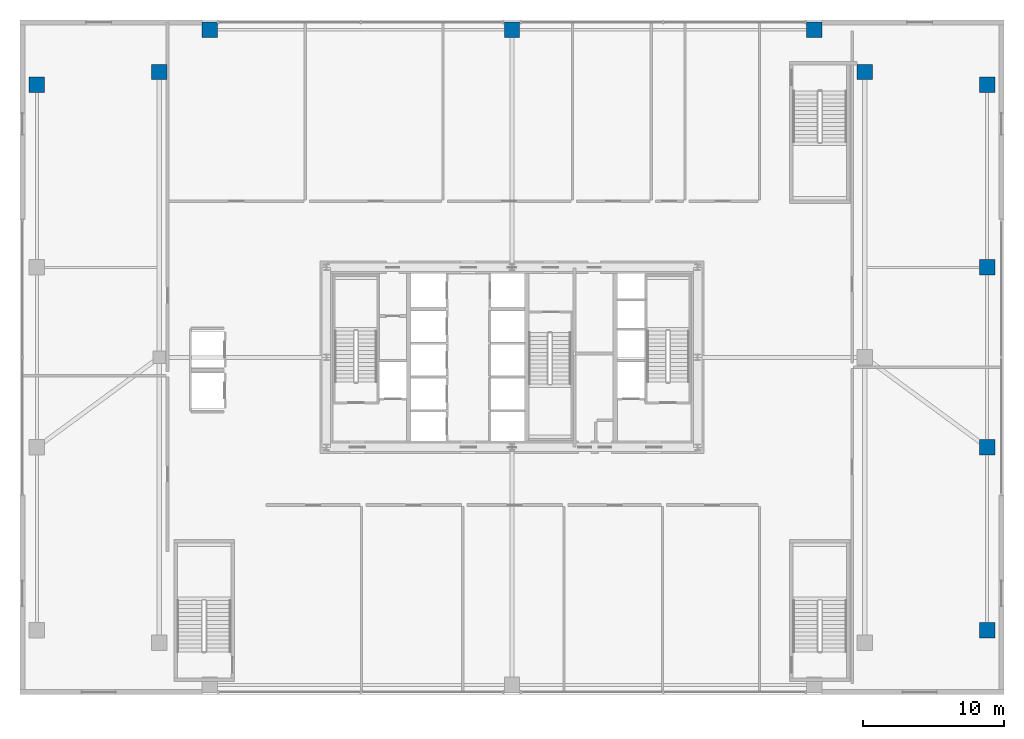
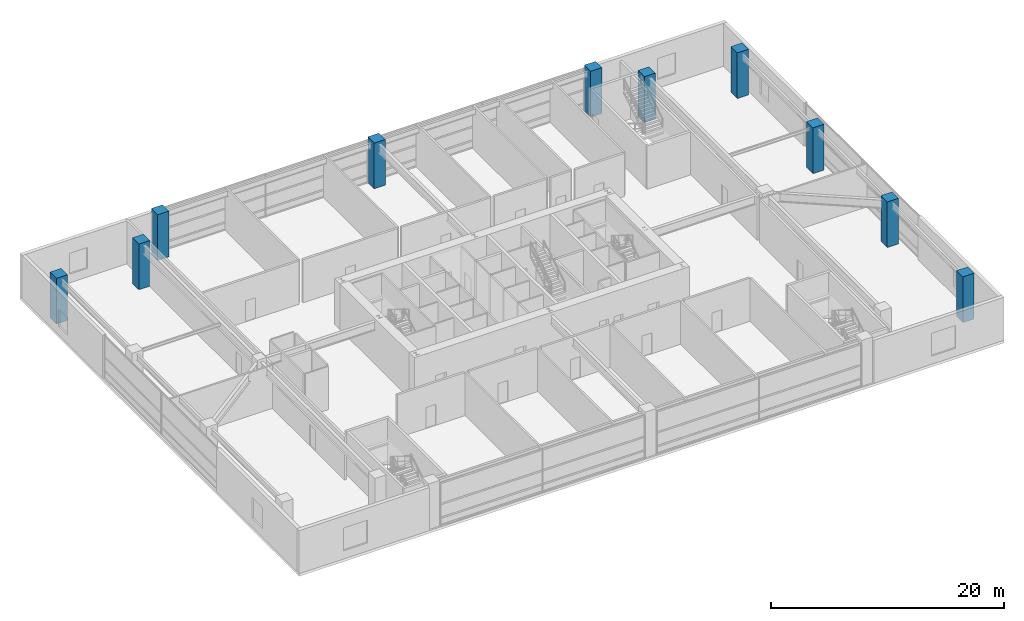
# One storey, part 3 of 39: 10 columns.
"""IFC4 building model written with IfcOpenShell, lengths in metres."""

import ifcopenshell
import ifcopenshell.guid

model = None  # the IFC model being written
_history = None  # IfcOwnerHistory: only IFC2X3 demands one
_inside = {}  # id of a spatial element -> (the spatial element, [elements in it])
_under = {}  # id of a project, library or spatial element -> (it, [spatial elements below it])
_declared = {}  # id of a project -> (the project, [libraries it declares])
_typed = {}  # id of a type object -> (the type object, [elements of that type])
_made_of = {}  # id of a material, layer set ... -> (it, [elements and type objects made of it])


def new_model(schema):
    """Start an empty IFC model of exactly this schema.

    Asked for "IFC4X3", IfcOpenShell would pick the latest addendum, in which some entities
    have other attributes; the version numbers below select the first issue.
    IFC2X3 requires an IfcOwnerHistory on every rooted entity: one is made here for all.
    """
    global model, _history
    if schema == "IFC4X3":
        model = ifcopenshell.file(schema_version=(4, 3, 0, 0))
    else:
        model = ifcopenshell.file(schema=schema)
    _inside.clear()
    _under.clear()
    _declared.clear()
    _typed.clear()
    _made_of.clear()
    _history = None
    if model.schema == "IFC2X3":
        org = make("IfcOrganization", Name="unknown")
        user = make(
            "IfcPersonAndOrganization",
            ThePerson=make("IfcPerson", FamilyName="unknown"),
            TheOrganization=org,
        )
        app = make(
            "IfcApplication",
            ApplicationDeveloper=org,
            Version="unknown",
            ApplicationFullName="unknown",
            ApplicationIdentifier="unknown",
        )
        _history = make(
            "IfcOwnerHistory",
            OwningUser=user,
            OwningApplication=app,
            ChangeAction="ADDED",
            CreationDate=0,
        )
    return model


def make(cls, **values):
    """One entity of the class cls with the attributes given. An attribute that is None is left unset."""
    return model.create_entity(
        cls, **{name: value for name, value in values.items() if value is not None}
    )


def rooted(cls, **values):
    """An entity with a GlobalId (a new one), such as an element, a storey or a relation."""
    return make(cls, GlobalId=ifcopenshell.guid.new(), OwnerHistory=_history, **values)


def si_unit(unit_type, name, prefix=None):
    """IfcSIUnit, for example si_unit("LENGTHUNIT", "METRE", prefix="MILLI")."""
    return make("IfcSIUnit", UnitType=unit_type, Prefix=prefix, Name=name)


def assignment(units):
    """IfcUnitAssignment: the units of a project."""
    return None if units is None else make("IfcUnitAssignment", Units=units)


def point(xyz):
    """IfcCartesianPoint."""
    return None if xyz is None else make("IfcCartesianPoint", Coordinates=xyz)


def direction(xyz):
    """IfcDirection."""
    return None if xyz is None else make("IfcDirection", DirectionRatios=xyz)


def frame(location, z_axis=None, x_axis=None):
    """IfcAxis2Placement3D, a coordinate frame: its origin and axes. An axis left out is left unset."""
    return make(
        "IfcAxis2Placement3D",
        Location=point(location),
        Axis=direction(z_axis),
        RefDirection=direction(x_axis),
    )


def frame_2d(location, x_axis=None):
    """IfcAxis2Placement2D, a coordinate frame in the plane: its origin and x axis."""
    return make(
        "IfcAxis2Placement2D", Location=point(location), RefDirection=direction(x_axis)
    )


def origin():
    """The frame at (0, 0, 0) with its axes left unset."""
    return frame((0.0, 0.0, 0.0))


def origin_2d():
    """The frame at (0, 0) in the plane with its x axis left unset."""
    return frame_2d((0.0, 0.0))


def place(relative_to, where):
    """IfcLocalPlacement: puts the frame where relative to a parent placement (None: the world)."""
    return make(
        "IfcLocalPlacement", PlacementRelTo=relative_to, RelativePlacement=where
    )


def context(
    kind, dimensions, precision=None, world=None, true_north=None, identifier=None
):
    """IfcGeometricRepresentationContext, for example the 3D "Model" context."""
    return make(
        "IfcGeometricRepresentationContext",
        ContextIdentifier=identifier,
        ContextType=kind,
        CoordinateSpaceDimension=dimensions,
        Precision=precision,
        WorldCoordinateSystem=world,
        TrueNorth=true_north,
    )


def subcontext(parent, identifier, kind, view, scale=None):
    """IfcGeometricRepresentationSubContext, for example "Body" below "Model"."""
    return make(
        "IfcGeometricRepresentationSubContext",
        ContextIdentifier=identifier,
        ContextType=kind,
        ParentContext=parent,
        TargetScale=scale,
        TargetView=view,
    )


def project(units=None, contexts=None):
    """IfcProject with its units and contexts."""
    return rooted(
        "IfcProject",
        Name="project",
        RepresentationContexts=contexts,
        UnitsInContext=assignment(units),
    )


def spatial(cls, under=None, at=None, **own):
    """A site, building, storey or space (cls), placed at a placement, below another one or the project."""
    s = rooted(cls, ObjectPlacement=at, **own)
    if under is not None:
        _under.setdefault(under.id(), (under, []))[1].append(s)
    return s


def profile(cls, at=None, kind="AREA", **sizes):
    """A parametric profile (cls). Its sizes go by their IFC names, for example OverallWidth=200.0."""
    return make(cls, ProfileType=kind, Position=at, **sizes)


def rectangle(**sizes):
    """IfcRectangleProfileDef."""
    return profile("IfcRectangleProfileDef", **sizes)


def extrude(swept, where, along, depth):
    """IfcExtrudedAreaSolid: the profile swept, set in the frame where, extruded along a direction by depth."""
    return make(
        "IfcExtrudedAreaSolid",
        SweptArea=swept,
        Position=where,
        ExtrudedDirection=direction(along),
        Depth=depth,
    )


def shape(context_of_items, identifier, shape_type, items):
    """IfcShapeRepresentation: the items that make up one representation, for example the "Body"."""
    return make(
        "IfcShapeRepresentation",
        ContextOfItems=context_of_items,
        RepresentationIdentifier=identifier,
        RepresentationType=shape_type,
        Items=items,
    )


def source(mapping_origin, context_of_items, identifier, shape_type, items):
    """IfcRepresentationMap: a shape defined once, which mapped items show again and again."""
    return make(
        "IfcRepresentationMap",
        MappingOrigin=mapping_origin,
        MappedRepresentation=shape(context_of_items, identifier, shape_type, items),
    )


def transform(
    local_origin,
    x_axis=None,
    y_axis=None,
    z_axis=None,
    scale=None,
    scale2=None,
    scale3=None,
    uniform=True,
):
    """IfcCartesianTransformationOperator3D, or its non-uniform kind. x_axis, y_axis, z_axis: its Axis1, 2, 3."""
    if uniform:
        return make(
            "IfcCartesianTransformationOperator3D",
            Axis1=direction(x_axis),
            Axis2=direction(y_axis),
            LocalOrigin=point(local_origin),
            Scale=scale,
            Axis3=direction(z_axis),
        )
    return make(
        "IfcCartesianTransformationOperator3DnonUniform",
        Axis1=direction(x_axis),
        Axis2=direction(y_axis),
        LocalOrigin=point(local_origin),
        Scale=scale,
        Axis3=direction(z_axis),
        Scale2=scale2,
        Scale3=scale3,
    )


def mapped(mapping_source, mapping_target):
    """IfcMappedItem: shows the shape of a source again, moved by a transform."""
    return make(
        "IfcMappedItem", MappingSource=mapping_source, MappingTarget=mapping_target
    )


def material(Name=None, Category=None):
    """IfcMaterial."""
    return make("IfcMaterial", Name=Name, Category=Category)


def material_profile(
    of_material, cross_section, Name=None, Category=None, Priority=None
):
    """IfcMaterialProfile: a cross section and its material."""
    return make(
        "IfcMaterialProfile",
        Name=Name,
        Material=of_material,
        Profile=cross_section,
        Priority=Priority,
        Category=Category,
    )


def profile_set(profiles, Name=None, composite=None):
    """IfcMaterialProfileSet."""
    return make(
        "IfcMaterialProfileSet",
        Name=Name,
        MaterialProfiles=profiles,
        CompositeProfile=composite,
    )


def made_of(thing, what):
    """Note that an element or type object is made of a material, layer set ...; save() writes the relation."""
    if what is not None:
        _made_of.setdefault(what.id(), (what, []))[1].append(thing)
    return thing


def type_object(cls, material=None, **own):
    """A type object (cls), such as IfcWallType, which elements share."""
    return made_of(rooted(cls, **own), material)


def element(
    cls,
    number,
    at=None,
    inside=None,
    cuts=None,
    type_object=None,
    material=None,
    context=None,
    identifier="Body",
    shape_type=None,
    held_by="IfcProductDefinitionShape",
    body=None,
    shapes=None,
    **own,
):
    """One element of the class cls, such as IfcWall. Its Tag is "e" and its number.

    at: its placement. inside: the storey or other place that contains it. cuts: it is an
    opening in that element (IfcRelVoidsElement). A single representation is given by context,
    identifier, shape_type and body (its items); several are given by shapes. held_by: the class
    of the entity that holds the representations. save() writes the other relations.
    """
    e = rooted(cls, Tag="e%d" % number, ObjectPlacement=at, **own)
    if body is not None:
        shapes = [shape(context, identifier, shape_type, body)]
    if shapes is not None:
        e.Representation = make(held_by, Representations=shapes)
    if inside is not None:
        _inside.setdefault(inside.id(), (inside, []))[1].append(e)
    if cuts is not None:
        rooted(
            "IfcRelVoidsElement", RelatingBuildingElement=cuts, RelatedOpeningElement=e
        )
    if type_object is not None:
        _typed.setdefault(type_object.id(), (type_object, []))[1].append(e)
    return made_of(e, material)


def aggregate(whole, parts):
    """IfcRelAggregates: a whole, such as a stair, and the parts it consists of."""
    return rooted("IfcRelAggregates", RelatingObject=whole, RelatedObjects=parts)


def save(model, path):
    """Write the relations noted so far, then the file.

    IfcRelAggregates (storeys below a building ...), IfcRelContainedInSpatialStructure (elements
    in a storey), IfcRelDefinesByType, IfcRelAssociatesMaterial and IfcRelDeclares: one each for
    every whole, place, type object, material and project.
    """
    for whole, parts in _under.values():
        aggregate(whole, parts)
    for where, things in _inside.values():
        rooted(
            "IfcRelContainedInSpatialStructure",
            RelatedElements=things,
            RelatingStructure=where,
        )
    for kind, things in _typed.values():
        rooted("IfcRelDefinesByType", RelatedObjects=things, RelatingType=kind)
    for what, things in _made_of.values():
        rooted("IfcRelAssociatesMaterial", RelatedObjects=things, RelatingMaterial=what)
    for by, libraries in _declared.values():
        rooted("IfcRelDeclares", RelatingContext=by, RelatedDefinitions=libraries)
    model.write(path)


model = new_model("IFC4")

# Units and contexts
model_context = context("Model", 3, precision=1e-05, world=origin(), true_north=direction((0.0, 1.0)))
body_context = subcontext(model_context, "Body", "Model", "MODEL_VIEW")
ifc_project = project(units=[si_unit("LENGTHUNIT", "METRE"), si_unit("AREAUNIT", "SQUARE_METRE"), si_unit("VOLUMEUNIT", "CUBIC_METRE"), si_unit("PLANEANGLEUNIT", "RADIAN"), si_unit("MASSUNIT", "GRAM", prefix="KILO"), si_unit("THERMODYNAMICTEMPERATUREUNIT", "KELVIN"), si_unit("POWERUNIT", "WATT")], contexts=[model_context])

# Site, building, storey
site_placement = place(None, origin())
site = spatial("IfcSite", under=ifc_project, at=site_placement, CompositionType="ELEMENT")
building_placement = place(site_placement, origin())
building = spatial("IfcBuilding", under=site, at=building_placement, Name="Yuzanri Waterfront Tower", CompositionType="ELEMENT")
storey_placement = place(building_placement, frame((0.0, 0.0, 15.0)))
storey = spatial("IfcBuildingStorey", under=building, at=storey_placement, Name="L04", CompositionType="ELEMENT", Elevation=15.0)

# Columns
ifc_material = material(Name="Concrete C50", Category="concrete")
ifc_material_profile = material_profile(ifc_material, rectangle(XDim=1.10009765625, YDim=1.10009765625, at=origin_2d()), Name="RC 1100x1100")
ifc_profile_set = profile_set([ifc_material_profile], Name="Concrete C50")
column_type = type_object("IfcColumnType", Name="Podium RC Column C50 1100x1100", PredefinedType="COLUMN", material=ifc_profile_set)
shared_shape = source(origin(), body_context, "Body", "SweptSolid", [
    extrude(rectangle(XDim=1.10009765625, YDim=1.10009765625, at=origin_2d()), origin(), (0.0, 0.0, 1.0), 4.800048828125),
])
for number, where, z_axis, x_axis, name in (
    (1, (3.199951171875, 45.199951171875, 0.0), (0.0, 0.0, 1.0), (1.0, 0.0, 0.0), "L04 Podium Column PW4"),
    (2, (70.800048828125, 6.39990234375, 0.0), (0.0, 0.0, 1.0), (1.0, 0.0, 0.0), "L04 Podium Column PE1"),
    (3, (70.800048828125, 19.39990234375, 0.0), (0.0, 0.0, 1.0), (1.0, 0.0, 0.0), "L04 Podium Column PE2"),
    (4, (70.800048828125, 32.199951171875, 0.0), (0.0, 0.0, 1.0), (1.0, 0.0, 0.0), "L04 Podium Column PE3"),
    (5, (70.800048828125, 45.199951171875, 0.0), (0.0, 0.0, 1.0), (1.0, 0.0, 0.0), "L04 Podium Column PE4"),
    (6, (11.89990234375, 46.10009765625, 0.0), (0.0, 0.0, 1.0), (1.0, 0.0, 0.0), "L04 Podium Column PTW3"),
    (7, (62.10009765625, 46.10009765625, 0.0), (0.0, 0.0, 1.0), (1.0, 0.0, 0.0), "L04 Podium Column PTE3"),
    (8, (15.5, 49.10009765625, 0.0), (0.0, 0.0, 1.0), (1.0, 0.0, 0.0), "L04 Podium Column PTN1"),
    (9, (37.0, 49.10009765625, 0.0), (0.0, 0.0, 1.0), (1.0, 0.0, 0.0), "L04 Podium Column PTN2"),
    (10, (58.5, 49.10009765625, 0.0), (0.0, 0.0, 1.0), (1.0, 0.0, 0.0), "L04 Podium Column PTN3"),
):
    element("IfcColumn", number, at=place(storey_placement, frame(where, z_axis=z_axis, x_axis=x_axis)), inside=storey, type_object=column_type, Name=name, PredefinedType="COLUMN", context=body_context, shape_type="MappedRepresentation", body=[
        mapped(shared_shape, transform((0.0, 0.0, 0.0), scale=1.0)),
    ])

save(model, "model.ifc")
